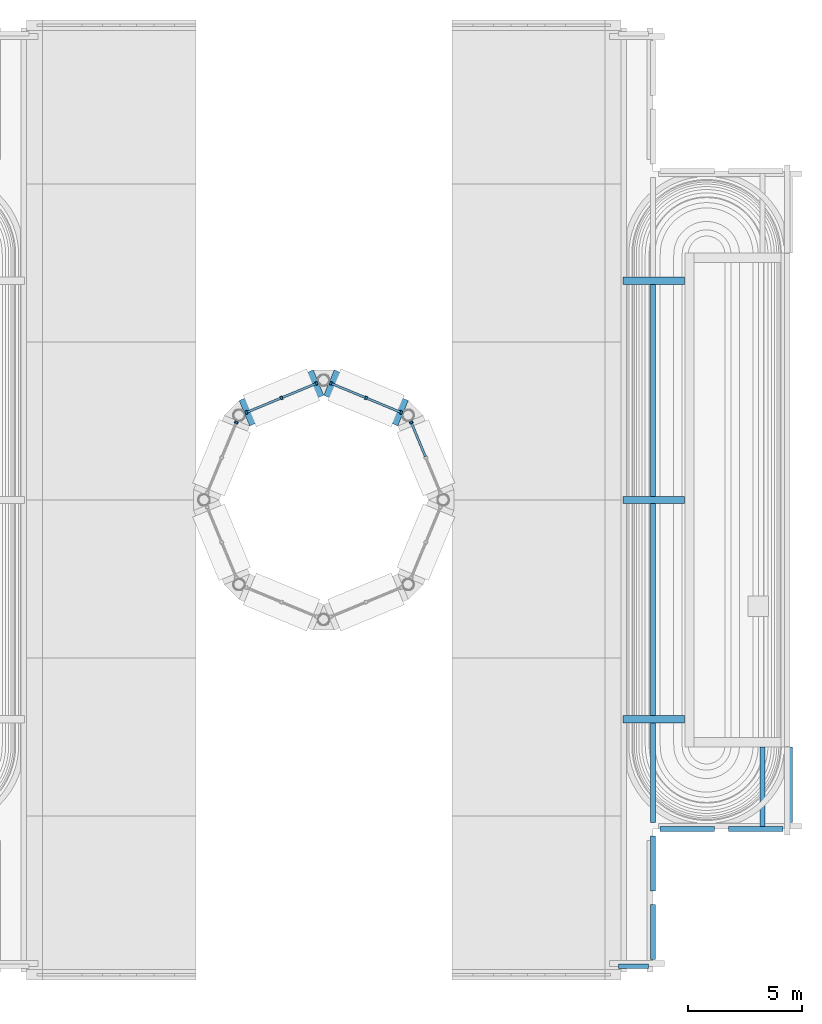
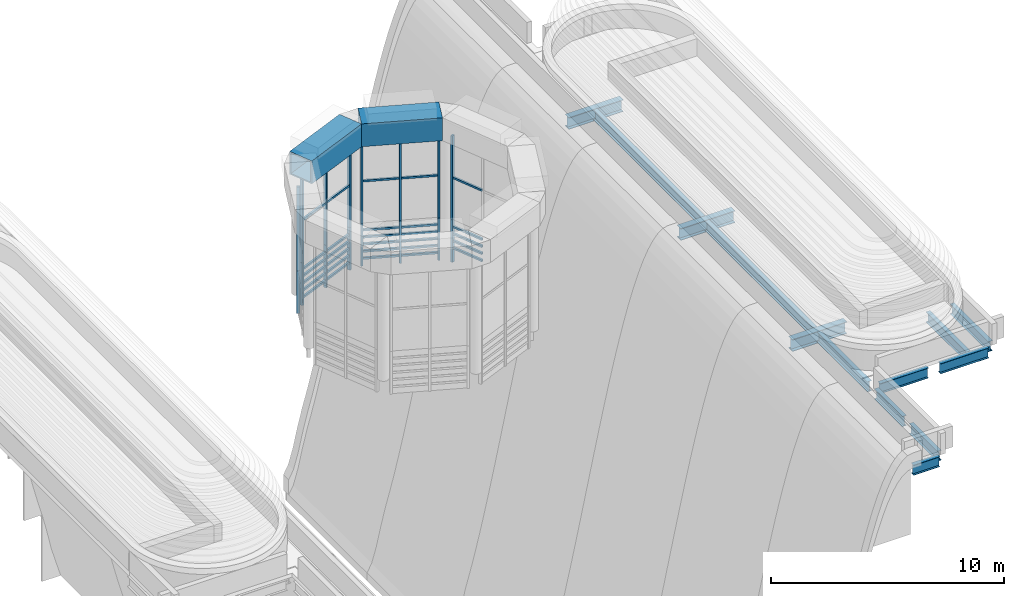
# One storey, part 3 of 14: 45 members, 15 beams, 8 elements without a shape of their own.
"""IFC4 building model written with IfcOpenShell, lengths in metres."""

from ifc_helpers import new_model, si_unit, direction, frame, origin, origin_2d, place, context, subcontext, project, spatial, rectangle, hollow_rectangle, i_section, extrude, material, material_profile, profile_set, type_object, element, aggregate, save


model = new_model("IFC4")

# Units and contexts
model_context = context("Model", 3, precision=1e-05, world=origin(), true_north=direction((0.0, 1.0)))
body_context = subcontext(model_context, "Body", "Model", "MODEL_VIEW")
ifc_project = project(units=[si_unit("LENGTHUNIT", "METRE"), si_unit("AREAUNIT", "SQUARE_METRE"), si_unit("VOLUMEUNIT", "CUBIC_METRE"), si_unit("PLANEANGLEUNIT", "RADIAN"), si_unit("MASSUNIT", "GRAM", prefix="KILO")], contexts=[model_context])

# Site, building, storey
site_placement = place(None, origin())
site = spatial("IfcSite", under=ifc_project, at=site_placement, CompositionType="ELEMENT")
building_placement = place(site_placement, origin())
building = spatial("IfcBuilding", under=site, at=building_placement, Name="Cobrizo Arcos Hotel Tower", CompositionType="ELEMENT")
storey_placement = place(building_placement, frame((0.0, 0.0, 290.0)))
storey = spatial("IfcBuildingStorey", under=building, at=storey_placement, Name="RF", CompositionType="ELEMENT", Elevation=290.0)

# Beams
ifc_material_1 = material(Name="Steel ASTM A572 Grade 50", Category="steel")
ifc_material_profile_1 = material_profile(ifc_material_1, hollow_rectangle(XDim=1.199951171875, YDim=1.199951171875, WallThickness=0.070068359375, at=origin_2d()), Name="BOX 1200X1200X70")
ifc_profile_set_1 = profile_set([ifc_material_profile_1], Name="Steel ASTM A572 Grade 50")
beam_type_1 = type_object("IfcBeamType", Name="BOX 1200X1200X70 drum ring beam", PredefinedType="BEAM", material=ifc_profile_set_1)
for number, where, z_axis, x_axis, name in (
    (1, (3.470458984375, 3.795166015625, 6.39990234375), (-0.923896387827, 0.382642737497, 0.0), (-0.382642737497, -0.923896387827, 0.0), "Drum ring beam RB2, tier 3, no. 1"),
    (2, (-0.2294921875, 5.137451171875, 6.39990234375), (-0.923896387827, -0.382642737497, 0.0), (0.382642737497, -0.923896387827, 0.0), "Drum ring beam RB3, tier 3, no. 2"),
):
    element("IfcBeam", number, at=place(storey_placement, frame(where, z_axis=z_axis, x_axis=x_axis)), inside=storey, type_object=beam_type_1, Name=name, PredefinedType="BEAM", context=body_context, shape_type="SweptSolid", body=[
        extrude(hollow_rectangle(XDim=1.199951171875, YDim=1.199951171875, WallThickness=0.070068359375, at=origin_2d()), origin(), (0.0, 0.0, 1.0), 3.5078125),
    ])

# Curtain wall, member
ifc_material_2 = material(Name="Aluminium 6063-T6 anodised bronze", Category="aluminium")
curtain_wall_type = type_object("IfcCurtainWallType", Name="CW-D plant louvre wall", PredefinedType="NOTDEFINED", material=ifc_material_2)
curtain_wall_1_placement = place(storey_placement, origin())
curtain_wall_1 = element("IfcCurtainWall", 3, at=curtain_wall_1_placement, inside=storey, type_object=curtain_wall_type, Name="CW-D drum louvre wall t3-1", PredefinedType="NOTDEFINED")
ifc_material_profile_2 = material_profile(ifc_material_2, rectangle(XDim=0.14990234375, YDim=0.10009765625, at=origin_2d()), Name="CW-D mullion 150x100")
ifc_profile_set_2 = profile_set([ifc_material_profile_2], Name="Aluminium 6063-T6 anodised bronze")
member_type_1 = type_object("IfcMemberType", Name="CW-D mullion 150x100", PredefinedType="MULLION", material=ifc_profile_set_2)
member_1_placement = place(storey_placement, frame((3.827880859375, 3.391357421875, -0.833251953125), z_axis=(0.0, 0.0, 1.0), x_axis=(0.923879532511, 0.382683432365, 0.0)))
member_1 = element("IfcMember", 4, at=member_1_placement, type_object=member_type_1, Name="CW-D mullion 3", PredefinedType="MULLION", context=body_context, shape_type="SweptSolid", body=[
    extrude(rectangle(XDim=0.14990234375, YDim=0.10009765625, at=origin_2d()), origin(), (0.0, 0.0, 1.0), 2.233154296875),
])

curtain_wall_2_placement = place(storey_placement, origin())
curtain_wall_2 = element("IfcCurtainWall", 5, at=curtain_wall_2_placement, inside=storey, type_object=curtain_wall_type, Name="CW-D drum louvre wall t3L-1", PredefinedType="NOTDEFINED")
member_2_placement = place(storey_placement, frame((3.827880859375, 3.391357421875, 1.39990234375), z_axis=(0.0, 0.0, 1.0), x_axis=(0.923879532511, 0.382683432365, 0.0)))
member_2 = element("IfcMember", 6, at=member_2_placement, type_object=member_type_1, Name="CW-D mullion 3", PredefinedType="MULLION", context=body_context, shape_type="SweptSolid", body=[
    extrude(rectangle(XDim=0.14990234375, YDim=0.10009765625, at=origin_2d()), origin(), (0.0, 0.0, 1.0), 4.400146484375),
])

# Curtain wall, members
curtain_wall_3_placement = place(storey_placement, origin())
curtain_wall_3 = element("IfcCurtainWall", 7, at=curtain_wall_3_placement, inside=storey, type_object=curtain_wall_type, Name="CW-D drum louvre wall t3-2", PredefinedType="NOTDEFINED")
member_3_placement = place(storey_placement, frame((3.391357421875, 3.827880859375, -0.833251953125), z_axis=(0.0, 0.0, 1.0), x_axis=(0.382683432365, 0.923879532511, 0.0)))
member_3 = element("IfcMember", 8, at=member_3_placement, type_object=member_type_1, Name="CW-D mullion 1", PredefinedType="MULLION", context=body_context, shape_type="SweptSolid", body=[
    extrude(rectangle(XDim=0.14990234375, YDim=0.10009765625, at=origin_2d()), origin(), (0.0, 0.0, 1.0), 2.233154296875),
])
member_4_placement = place(storey_placement, frame((1.85009765625, 4.46630859375, -0.833251953125), z_axis=(0.0, 0.0, 1.0), x_axis=(0.382683432365, 0.923879532511, 0.0)))
member_4 = element("IfcMember", 9, at=member_4_placement, type_object=member_type_1, Name="CW-D mullion 2", PredefinedType="MULLION", context=body_context, shape_type="SweptSolid", body=[
    extrude(rectangle(XDim=0.14990234375, YDim=0.10009765625, at=origin_2d()), origin(), (0.0, 0.0, 1.0), 2.233154296875),
])
member_5_placement = place(storey_placement, frame((0.30859375, 5.104736328125, -0.833251953125), z_axis=(0.0, 0.0, 1.0), x_axis=(0.382683432365, 0.923879532511, 0.0)))
member_5 = element("IfcMember", 10, at=member_5_placement, type_object=member_type_1, Name="CW-D mullion 3", PredefinedType="MULLION", context=body_context, shape_type="SweptSolid", body=[
    extrude(rectangle(XDim=0.14990234375, YDim=0.10009765625, at=origin_2d()), origin(), (0.0, 0.0, 1.0), 2.233154296875),
])

curtain_wall_4_placement = place(storey_placement, origin())
curtain_wall_4 = element("IfcCurtainWall", 11, at=curtain_wall_4_placement, inside=storey, type_object=curtain_wall_type, Name="CW-D drum louvre wall t3L-2", PredefinedType="NOTDEFINED")
member_6_placement = place(storey_placement, frame((3.391357421875, 3.827880859375, 1.39990234375), z_axis=(0.0, 0.0, 1.0), x_axis=(0.382683432365, 0.923879532511, 0.0)))
member_6 = element("IfcMember", 12, at=member_6_placement, type_object=member_type_1, Name="CW-D mullion 1", PredefinedType="MULLION", context=body_context, shape_type="SweptSolid", body=[
    extrude(rectangle(XDim=0.14990234375, YDim=0.10009765625, at=origin_2d()), origin(), (0.0, 0.0, 1.0), 4.400146484375),
])
member_7_placement = place(storey_placement, frame((1.85009765625, 4.46630859375, 1.39990234375), z_axis=(0.0, 0.0, 1.0), x_axis=(0.382683432365, 0.923879532511, 0.0)))
member_7 = element("IfcMember", 13, at=member_7_placement, type_object=member_type_1, Name="CW-D mullion 2", PredefinedType="MULLION", context=body_context, shape_type="SweptSolid", body=[
    extrude(rectangle(XDim=0.14990234375, YDim=0.10009765625, at=origin_2d()), origin(), (0.0, 0.0, 1.0), 4.400146484375),
])
member_8_placement = place(storey_placement, frame((0.30859375, 5.104736328125, 1.39990234375), z_axis=(0.0, 0.0, 1.0), x_axis=(0.382683432365, 0.923879532511, 0.0)))
member_8 = element("IfcMember", 14, at=member_8_placement, type_object=member_type_1, Name="CW-D mullion 3", PredefinedType="MULLION", context=body_context, shape_type="SweptSolid", body=[
    extrude(rectangle(XDim=0.14990234375, YDim=0.10009765625, at=origin_2d()), origin(), (0.0, 0.0, 1.0), 4.400146484375),
])

curtain_wall_5_placement = place(storey_placement, origin())
curtain_wall_5 = element("IfcCurtainWall", 15, at=curtain_wall_5_placement, inside=storey, type_object=curtain_wall_type, Name="CW-D drum louvre wall t3-3", PredefinedType="NOTDEFINED")
member_9_placement = place(storey_placement, frame((-0.30859375, 5.104736328125, -0.833251953125), z_axis=(0.0, 0.0, 1.0), x_axis=(-0.382683432365, 0.923879532511, 0.0)))
member_9 = element("IfcMember", 16, at=member_9_placement, type_object=member_type_1, Name="CW-D mullion 1", PredefinedType="MULLION", context=body_context, shape_type="SweptSolid", body=[
    extrude(rectangle(XDim=0.14990234375, YDim=0.10009765625, at=origin_2d()), origin(), (0.0, 0.0, 1.0), 2.233154296875),
])
member_10_placement = place(storey_placement, frame((-1.85009765625, 4.46630859375, -0.833251953125), z_axis=(0.0, 0.0, 1.0), x_axis=(-0.382683432365, 0.923879532511, 0.0)))
member_10 = element("IfcMember", 17, at=member_10_placement, type_object=member_type_1, Name="CW-D mullion 2", PredefinedType="MULLION", context=body_context, shape_type="SweptSolid", body=[
    extrude(rectangle(XDim=0.14990234375, YDim=0.10009765625, at=origin_2d()), origin(), (0.0, 0.0, 1.0), 2.233154296875),
])
member_11_placement = place(storey_placement, frame((-3.391357421875, 3.827880859375, -0.833251953125), z_axis=(0.0, 0.0, 1.0), x_axis=(-0.382683432365, 0.923879532511, 0.0)))
member_11 = element("IfcMember", 18, at=member_11_placement, type_object=member_type_1, Name="CW-D mullion 3", PredefinedType="MULLION", context=body_context, shape_type="SweptSolid", body=[
    extrude(rectangle(XDim=0.14990234375, YDim=0.10009765625, at=origin_2d()), origin(), (0.0, 0.0, 1.0), 2.233154296875),
])

curtain_wall_6_placement = place(storey_placement, origin())
curtain_wall_6 = element("IfcCurtainWall", 19, at=curtain_wall_6_placement, inside=storey, type_object=curtain_wall_type, Name="CW-D drum louvre wall t3L-3", PredefinedType="NOTDEFINED")
member_12_placement = place(storey_placement, frame((-0.30859375, 5.104736328125, 1.39990234375), z_axis=(0.0, 0.0, 1.0), x_axis=(-0.382683432365, 0.923879532511, 0.0)))
member_12 = element("IfcMember", 20, at=member_12_placement, type_object=member_type_1, Name="CW-D mullion 1", PredefinedType="MULLION", context=body_context, shape_type="SweptSolid", body=[
    extrude(rectangle(XDim=0.14990234375, YDim=0.10009765625, at=origin_2d()), origin(), (0.0, 0.0, 1.0), 4.400146484375),
])
member_13_placement = place(storey_placement, frame((-1.85009765625, 4.46630859375, 1.39990234375), z_axis=(0.0, 0.0, 1.0), x_axis=(-0.382683432365, 0.923879532511, 0.0)))
member_13 = element("IfcMember", 21, at=member_13_placement, type_object=member_type_1, Name="CW-D mullion 2", PredefinedType="MULLION", context=body_context, shape_type="SweptSolid", body=[
    extrude(rectangle(XDim=0.14990234375, YDim=0.10009765625, at=origin_2d()), origin(), (0.0, 0.0, 1.0), 4.400146484375),
])
member_14_placement = place(storey_placement, frame((-3.391357421875, 3.827880859375, 1.39990234375), z_axis=(0.0, 0.0, 1.0), x_axis=(-0.382683432365, 0.923879532511, 0.0)))
member_14 = element("IfcMember", 22, at=member_14_placement, type_object=member_type_1, Name="CW-D mullion 3", PredefinedType="MULLION", context=body_context, shape_type="SweptSolid", body=[
    extrude(rectangle(XDim=0.14990234375, YDim=0.10009765625, at=origin_2d()), origin(), (0.0, 0.0, 1.0), 4.400146484375),
])

# Curtain wall, member
curtain_wall_7_placement = place(storey_placement, origin())
curtain_wall_7 = element("IfcCurtainWall", 23, at=curtain_wall_7_placement, inside=storey, type_object=curtain_wall_type, Name="CW-D drum louvre wall t3-4", PredefinedType="NOTDEFINED")
member_15_placement = place(storey_placement, frame((-3.827880859375, 3.391357421875, -0.833251953125), z_axis=(0.0, 0.0, 1.0), x_axis=(-0.923879532511, 0.382683432365, 0.0)))
member_15 = element("IfcMember", 24, at=member_15_placement, type_object=member_type_1, Name="CW-D mullion 1", PredefinedType="MULLION", context=body_context, shape_type="SweptSolid", body=[
    extrude(rectangle(XDim=0.14990234375, YDim=0.10009765625, at=origin_2d()), origin(), (0.0, 0.0, 1.0), 2.233154296875),
])
aggregate(curtain_wall_7, [member_15])

curtain_wall_8_placement = place(storey_placement, origin())
curtain_wall_8 = element("IfcCurtainWall", 25, at=curtain_wall_8_placement, inside=storey, type_object=curtain_wall_type, Name="CW-D drum louvre wall t3L-4", PredefinedType="NOTDEFINED")
member_16_placement = place(storey_placement, frame((-3.827880859375, 3.391357421875, 1.39990234375), z_axis=(0.0, 0.0, 1.0), x_axis=(-0.923879532511, 0.382683432365, 0.0)))
member_16 = element("IfcMember", 26, at=member_16_placement, type_object=member_type_1, Name="CW-D mullion 1", PredefinedType="MULLION", context=body_context, shape_type="SweptSolid", body=[
    extrude(rectangle(XDim=0.14990234375, YDim=0.10009765625, at=origin_2d()), origin(), (0.0, 0.0, 1.0), 4.400146484375),
])
aggregate(curtain_wall_8, [member_16])

# Member
ifc_material_profile_3 = material_profile(ifc_material_2, rectangle(XDim=0.10009765625, YDim=0.10009765625, at=origin_2d()), Name="CW-D transom 100x100")
ifc_profile_set_3 = profile_set([ifc_material_profile_3], Name="Aluminium 6063-T6 anodised bronze")
member_type_2 = type_object("IfcMemberType", Name="CW-D transom 100x100", PredefinedType="USERDEFINED", material=ifc_profile_set_3)
member_17_placement = place(storey_placement, frame((4.447265625, 1.896240234375, -0.0888671875), z_axis=(-0.382768797092, 0.923844168663, 0.0), x_axis=(-0.923844168663, -0.382768797092, 0.0)))
member_17 = element("IfcMember", 27, at=member_17_placement, type_object=member_type_2, Name="CW-D transom 2-2", ObjectType="TRANSOM", PredefinedType="USERDEFINED", context=body_context, shape_type="SweptSolid", body=[
    extrude(rectangle(XDim=0.10009765625, YDim=0.10009765625, at=origin_2d()), origin(), (0.0, 0.0, 1.0), 1.568359375),
])

member_18_placement = place(storey_placement, frame((4.447265625, 1.896240234375, 0.283203125), z_axis=(-0.382768797092, 0.923844168663, 0.0), x_axis=(-0.923844168663, -0.382768797092, 0.0)))
member_18 = element("IfcMember", 28, at=member_18_placement, type_object=member_type_2, Name="CW-D transom 2-3", ObjectType="TRANSOM", PredefinedType="USERDEFINED", context=body_context, shape_type="SweptSolid", body=[
    extrude(rectangle(XDim=0.10009765625, YDim=0.10009765625, at=origin_2d()), origin(), (0.0, 0.0, 1.0), 1.568359375),
])

member_19_placement = place(storey_placement, frame((4.447265625, 1.896240234375, 0.655517578125), z_axis=(-0.382768797092, 0.923844168663, 0.0), x_axis=(-0.923844168663, -0.382768797092, 0.0)))
member_19 = element("IfcMember", 29, at=member_19_placement, type_object=member_type_2, Name="CW-D transom 2-4", ObjectType="TRANSOM", PredefinedType="USERDEFINED", context=body_context, shape_type="SweptSolid", body=[
    extrude(rectangle(XDim=0.10009765625, YDim=0.10009765625, at=origin_2d()), origin(), (0.0, 0.0, 1.0), 1.568359375),
])

member_20_placement = place(storey_placement, frame((4.447265625, 1.896240234375, 1.02783203125), z_axis=(-0.382768797092, 0.923844168663, 0.0), x_axis=(-0.923844168663, -0.382768797092, 0.0)))
member_20 = element("IfcMember", 30, at=member_20_placement, type_object=member_type_2, Name="CW-D transom 2-5", ObjectType="TRANSOM", PredefinedType="USERDEFINED", context=body_context, shape_type="SweptSolid", body=[
    extrude(rectangle(XDim=0.10009765625, YDim=0.10009765625, at=origin_2d()), origin(), (0.0, 0.0, 1.0), 1.568359375),
])

aggregate(curtain_wall_1, [member_1, member_17, member_18, member_19, member_20])

member_21_placement = place(storey_placement, frame((4.447265625, 1.896240234375, 3.60009765625), z_axis=(-0.382768797092, 0.923844168663, 0.0), x_axis=(-0.923844168663, -0.382768797092, 0.0)))
member_21 = element("IfcMember", 31, at=member_21_placement, type_object=member_type_2, Name="CW-D transom 2-1", ObjectType="TRANSOM", PredefinedType="USERDEFINED", context=body_context, shape_type="SweptSolid", body=[
    extrude(rectangle(XDim=0.10009765625, YDim=0.10009765625, at=origin_2d()), origin(), (0.0, 0.0, 1.0), 1.568359375),
])

aggregate(curtain_wall_2, [member_2, member_21])

member_22_placement = place(storey_placement, frame((3.34521484375, 3.846923828125, -0.461181640625), z_axis=(-0.923844168663, 0.382768797092, 0.0), x_axis=(-0.382768797092, -0.923844168663, 0.0)))
member_22 = element("IfcMember", 32, at=member_22_placement, type_object=member_type_2, Name="CW-D transom 1-1", ObjectType="TRANSOM", PredefinedType="USERDEFINED", context=body_context, shape_type="SweptSolid", body=[
    extrude(rectangle(XDim=0.10009765625, YDim=0.10009765625, at=origin_2d()), origin(), (0.0, 0.0, 1.0), 1.568359375),
])

member_23_placement = place(storey_placement, frame((3.34521484375, 3.846923828125, -0.0888671875), z_axis=(-0.923844168663, 0.382768797092, 0.0), x_axis=(-0.382768797092, -0.923844168663, 0.0)))
member_23 = element("IfcMember", 33, at=member_23_placement, type_object=member_type_2, Name="CW-D transom 1-2", ObjectType="TRANSOM", PredefinedType="USERDEFINED", context=body_context, shape_type="SweptSolid", body=[
    extrude(rectangle(XDim=0.10009765625, YDim=0.10009765625, at=origin_2d()), origin(), (0.0, 0.0, 1.0), 1.568359375),
])

member_24_placement = place(storey_placement, frame((3.34521484375, 3.846923828125, 0.283203125), z_axis=(-0.923844168663, 0.382768797092, 0.0), x_axis=(-0.382768797092, -0.923844168663, 0.0)))
member_24 = element("IfcMember", 34, at=member_24_placement, type_object=member_type_2, Name="CW-D transom 1-3", ObjectType="TRANSOM", PredefinedType="USERDEFINED", context=body_context, shape_type="SweptSolid", body=[
    extrude(rectangle(XDim=0.10009765625, YDim=0.10009765625, at=origin_2d()), origin(), (0.0, 0.0, 1.0), 1.568359375),
])

member_25_placement = place(storey_placement, frame((3.34521484375, 3.846923828125, 0.655517578125), z_axis=(-0.923844168663, 0.382768797092, 0.0), x_axis=(-0.382768797092, -0.923844168663, 0.0)))
member_25 = element("IfcMember", 35, at=member_25_placement, type_object=member_type_2, Name="CW-D transom 1-4", ObjectType="TRANSOM", PredefinedType="USERDEFINED", context=body_context, shape_type="SweptSolid", body=[
    extrude(rectangle(XDim=0.10009765625, YDim=0.10009765625, at=origin_2d()), origin(), (0.0, 0.0, 1.0), 1.568359375),
])

member_26_placement = place(storey_placement, frame((3.34521484375, 3.846923828125, 1.02783203125), z_axis=(-0.923844168663, 0.382768797092, 0.0), x_axis=(-0.382768797092, -0.923844168663, 0.0)))
member_26 = element("IfcMember", 36, at=member_26_placement, type_object=member_type_2, Name="CW-D transom 1-5", ObjectType="TRANSOM", PredefinedType="USERDEFINED", context=body_context, shape_type="SweptSolid", body=[
    extrude(rectangle(XDim=0.10009765625, YDim=0.10009765625, at=origin_2d()), origin(), (0.0, 0.0, 1.0), 1.568359375),
])

member_27_placement = place(storey_placement, frame((1.8037109375, 4.4853515625, -0.461181640625), z_axis=(-0.923844168663, 0.382768797092, 0.0), x_axis=(-0.382768797092, -0.923844168663, 0.0)))
member_27 = element("IfcMember", 37, at=member_27_placement, type_object=member_type_2, Name="CW-D transom 2-1", ObjectType="TRANSOM", PredefinedType="USERDEFINED", context=body_context, shape_type="SweptSolid", body=[
    extrude(rectangle(XDim=0.10009765625, YDim=0.10009765625, at=origin_2d()), origin(), (0.0, 0.0, 1.0), 1.568359375),
])

member_28_placement = place(storey_placement, frame((1.8037109375, 4.4853515625, -0.0888671875), z_axis=(-0.923844168663, 0.382768797092, 0.0), x_axis=(-0.382768797092, -0.923844168663, 0.0)))
member_28 = element("IfcMember", 38, at=member_28_placement, type_object=member_type_2, Name="CW-D transom 2-2", ObjectType="TRANSOM", PredefinedType="USERDEFINED", context=body_context, shape_type="SweptSolid", body=[
    extrude(rectangle(XDim=0.10009765625, YDim=0.10009765625, at=origin_2d()), origin(), (0.0, 0.0, 1.0), 1.568359375),
])

member_29_placement = place(storey_placement, frame((1.8037109375, 4.4853515625, 0.283203125), z_axis=(-0.923844168663, 0.382768797092, 0.0), x_axis=(-0.382768797092, -0.923844168663, 0.0)))
member_29 = element("IfcMember", 39, at=member_29_placement, type_object=member_type_2, Name="CW-D transom 2-3", ObjectType="TRANSOM", PredefinedType="USERDEFINED", context=body_context, shape_type="SweptSolid", body=[
    extrude(rectangle(XDim=0.10009765625, YDim=0.10009765625, at=origin_2d()), origin(), (0.0, 0.0, 1.0), 1.568359375),
])

member_30_placement = place(storey_placement, frame((1.8037109375, 4.4853515625, 0.655517578125), z_axis=(-0.923844168663, 0.382768797092, 0.0), x_axis=(-0.382768797092, -0.923844168663, 0.0)))
member_30 = element("IfcMember", 40, at=member_30_placement, type_object=member_type_2, Name="CW-D transom 2-4", ObjectType="TRANSOM", PredefinedType="USERDEFINED", context=body_context, shape_type="SweptSolid", body=[
    extrude(rectangle(XDim=0.10009765625, YDim=0.10009765625, at=origin_2d()), origin(), (0.0, 0.0, 1.0), 1.568359375),
])

member_31_placement = place(storey_placement, frame((1.8037109375, 4.4853515625, 1.02783203125), z_axis=(-0.923844168663, 0.382768797092, 0.0), x_axis=(-0.382768797092, -0.923844168663, 0.0)))
member_31 = element("IfcMember", 41, at=member_31_placement, type_object=member_type_2, Name="CW-D transom 2-5", ObjectType="TRANSOM", PredefinedType="USERDEFINED", context=body_context, shape_type="SweptSolid", body=[
    extrude(rectangle(XDim=0.10009765625, YDim=0.10009765625, at=origin_2d()), origin(), (0.0, 0.0, 1.0), 1.568359375),
])

aggregate(curtain_wall_3, [member_3, member_4, member_5, member_22, member_23, member_24, member_25, member_26, member_27, member_28, member_29, member_30, member_31])

member_32_placement = place(storey_placement, frame((3.34521484375, 3.846923828125, 3.60009765625), z_axis=(-0.923844168663, 0.382768797092, 0.0), x_axis=(-0.382768797092, -0.923844168663, 0.0)))
member_32 = element("IfcMember", 42, at=member_32_placement, type_object=member_type_2, Name="CW-D transom 1-1", ObjectType="TRANSOM", PredefinedType="USERDEFINED", context=body_context, shape_type="SweptSolid", body=[
    extrude(rectangle(XDim=0.10009765625, YDim=0.10009765625, at=origin_2d()), origin(), (0.0, 0.0, 1.0), 1.568359375),
])

member_33_placement = place(storey_placement, frame((1.8037109375, 4.4853515625, 3.60009765625), z_axis=(-0.923844168663, 0.382768797092, 0.0), x_axis=(-0.382768797092, -0.923844168663, 0.0)))
member_33 = element("IfcMember", 43, at=member_33_placement, type_object=member_type_2, Name="CW-D transom 2-1", ObjectType="TRANSOM", PredefinedType="USERDEFINED", context=body_context, shape_type="SweptSolid", body=[
    extrude(rectangle(XDim=0.10009765625, YDim=0.10009765625, at=origin_2d()), origin(), (0.0, 0.0, 1.0), 1.568359375),
])

aggregate(curtain_wall_4, [member_6, member_7, member_8, member_32, member_33])

member_34_placement = place(storey_placement, frame((-0.354736328125, 5.085693359375, -0.461181640625), z_axis=(-0.923844168663, -0.382768797092, 0.0), x_axis=(0.382768797092, -0.923844168663, 0.0)))
member_34 = element("IfcMember", 44, at=member_34_placement, type_object=member_type_2, Name="CW-D transom 1-1", ObjectType="TRANSOM", PredefinedType="USERDEFINED", context=body_context, shape_type="SweptSolid", body=[
    extrude(rectangle(XDim=0.10009765625, YDim=0.10009765625, at=origin_2d()), origin(), (0.0, 0.0, 1.0), 1.568359375),
])

member_35_placement = place(storey_placement, frame((-0.354736328125, 5.085693359375, -0.0888671875), z_axis=(-0.923844168663, -0.382768797092, 0.0), x_axis=(0.382768797092, -0.923844168663, 0.0)))
member_35 = element("IfcMember", 45, at=member_35_placement, type_object=member_type_2, Name="CW-D transom 1-2", ObjectType="TRANSOM", PredefinedType="USERDEFINED", context=body_context, shape_type="SweptSolid", body=[
    extrude(rectangle(XDim=0.10009765625, YDim=0.10009765625, at=origin_2d()), origin(), (0.0, 0.0, 1.0), 1.568359375),
])

member_36_placement = place(storey_placement, frame((-0.354736328125, 5.085693359375, 0.283203125), z_axis=(-0.923844168663, -0.382768797092, 0.0), x_axis=(0.382768797092, -0.923844168663, 0.0)))
member_36 = element("IfcMember", 46, at=member_36_placement, type_object=member_type_2, Name="CW-D transom 1-3", ObjectType="TRANSOM", PredefinedType="USERDEFINED", context=body_context, shape_type="SweptSolid", body=[
    extrude(rectangle(XDim=0.10009765625, YDim=0.10009765625, at=origin_2d()), origin(), (0.0, 0.0, 1.0), 1.568359375),
])

member_37_placement = place(storey_placement, frame((-0.354736328125, 5.085693359375, 0.655517578125), z_axis=(-0.923844168663, -0.382768797092, 0.0), x_axis=(0.382768797092, -0.923844168663, 0.0)))
member_37 = element("IfcMember", 47, at=member_37_placement, type_object=member_type_2, Name="CW-D transom 1-4", ObjectType="TRANSOM", PredefinedType="USERDEFINED", context=body_context, shape_type="SweptSolid", body=[
    extrude(rectangle(XDim=0.10009765625, YDim=0.10009765625, at=origin_2d()), origin(), (0.0, 0.0, 1.0), 1.568359375),
])

member_38_placement = place(storey_placement, frame((-0.354736328125, 5.085693359375, 1.02783203125), z_axis=(-0.923844168663, -0.382768797092, 0.0), x_axis=(0.382768797092, -0.923844168663, 0.0)))
member_38 = element("IfcMember", 48, at=member_38_placement, type_object=member_type_2, Name="CW-D transom 1-5", ObjectType="TRANSOM", PredefinedType="USERDEFINED", context=body_context, shape_type="SweptSolid", body=[
    extrude(rectangle(XDim=0.10009765625, YDim=0.10009765625, at=origin_2d()), origin(), (0.0, 0.0, 1.0), 1.568359375),
])

member_39_placement = place(storey_placement, frame((-1.896240234375, 4.447265625, -0.461181640625), z_axis=(-0.923844168663, -0.382768797092, 0.0), x_axis=(0.382768797092, -0.923844168663, 0.0)))
member_39 = element("IfcMember", 49, at=member_39_placement, type_object=member_type_2, Name="CW-D transom 2-1", ObjectType="TRANSOM", PredefinedType="USERDEFINED", context=body_context, shape_type="SweptSolid", body=[
    extrude(rectangle(XDim=0.10009765625, YDim=0.10009765625, at=origin_2d()), origin(), (0.0, 0.0, 1.0), 1.568359375),
])

member_40_placement = place(storey_placement, frame((-1.896240234375, 4.447265625, -0.0888671875), z_axis=(-0.923844168663, -0.382768797092, 0.0), x_axis=(0.382768797092, -0.923844168663, 0.0)))
member_40 = element("IfcMember", 50, at=member_40_placement, type_object=member_type_2, Name="CW-D transom 2-2", ObjectType="TRANSOM", PredefinedType="USERDEFINED", context=body_context, shape_type="SweptSolid", body=[
    extrude(rectangle(XDim=0.10009765625, YDim=0.10009765625, at=origin_2d()), origin(), (0.0, 0.0, 1.0), 1.568359375),
])

member_41_placement = place(storey_placement, frame((-1.896240234375, 4.447265625, 0.283203125), z_axis=(-0.923844168663, -0.382768797092, 0.0), x_axis=(0.382768797092, -0.923844168663, 0.0)))
member_41 = element("IfcMember", 51, at=member_41_placement, type_object=member_type_2, Name="CW-D transom 2-3", ObjectType="TRANSOM", PredefinedType="USERDEFINED", context=body_context, shape_type="SweptSolid", body=[
    extrude(rectangle(XDim=0.10009765625, YDim=0.10009765625, at=origin_2d()), origin(), (0.0, 0.0, 1.0), 1.568359375),
])

member_42_placement = place(storey_placement, frame((-1.896240234375, 4.447265625, 0.655517578125), z_axis=(-0.923844168663, -0.382768797092, 0.0), x_axis=(0.382768797092, -0.923844168663, 0.0)))
member_42 = element("IfcMember", 52, at=member_42_placement, type_object=member_type_2, Name="CW-D transom 2-4", ObjectType="TRANSOM", PredefinedType="USERDEFINED", context=body_context, shape_type="SweptSolid", body=[
    extrude(rectangle(XDim=0.10009765625, YDim=0.10009765625, at=origin_2d()), origin(), (0.0, 0.0, 1.0), 1.568359375),
])

member_43_placement = place(storey_placement, frame((-1.896240234375, 4.447265625, 1.02783203125), z_axis=(-0.923844168663, -0.382768797092, 0.0), x_axis=(0.382768797092, -0.923844168663, 0.0)))
member_43 = element("IfcMember", 53, at=member_43_placement, type_object=member_type_2, Name="CW-D transom 2-5", ObjectType="TRANSOM", PredefinedType="USERDEFINED", context=body_context, shape_type="SweptSolid", body=[
    extrude(rectangle(XDim=0.10009765625, YDim=0.10009765625, at=origin_2d()), origin(), (0.0, 0.0, 1.0), 1.568359375),
])

aggregate(curtain_wall_5, [member_9, member_10, member_11, member_34, member_35, member_36, member_37, member_38, member_39, member_40, member_41, member_42, member_43])

member_44_placement = place(storey_placement, frame((-0.354736328125, 5.085693359375, 3.60009765625), z_axis=(-0.923844168663, -0.382768797092, 0.0), x_axis=(0.382768797092, -0.923844168663, 0.0)))
member_44 = element("IfcMember", 54, at=member_44_placement, type_object=member_type_2, Name="CW-D transom 1-1", ObjectType="TRANSOM", PredefinedType="USERDEFINED", context=body_context, shape_type="SweptSolid", body=[
    extrude(rectangle(XDim=0.10009765625, YDim=0.10009765625, at=origin_2d()), origin(), (0.0, 0.0, 1.0), 1.568359375),
])

member_45_placement = place(storey_placement, frame((-1.896240234375, 4.447265625, 3.60009765625), z_axis=(-0.923844168663, -0.382768797092, 0.0), x_axis=(0.382768797092, -0.923844168663, 0.0)))
member_45 = element("IfcMember", 55, at=member_45_placement, type_object=member_type_2, Name="CW-D transom 2-1", ObjectType="TRANSOM", PredefinedType="USERDEFINED", context=body_context, shape_type="SweptSolid", body=[
    extrude(rectangle(XDim=0.10009765625, YDim=0.10009765625, at=origin_2d()), origin(), (0.0, 0.0, 1.0), 1.568359375),
])

aggregate(curtain_wall_6, [member_12, member_13, member_14, member_44, member_45])

# Beams
ifc_material_3 = material(Name="Steel ASTM A992 Grade 50", Category="steel")
ifc_material_profile_4 = material_profile(ifc_material_3, i_section(OverallWidth=0.209228515625, OverallDepth=0.533447265625, WebThickness=0.01025390625, FlangeThickness=0.015625, at=origin_2d()), Name="W21X62")
ifc_profile_set_4 = profile_set([ifc_material_profile_4], Name="Steel ASTM A992 Grade 50")
beam_type_2 = type_object("IfcBeamType", Name="W21X62 joist", PredefinedType="JOIST", material=ifc_profile_set_4)
beam_1_placement = place(storey_placement, frame((14.39990234375, -14.10009765625, -0.466796875), z_axis=(0.0, 1.0, 0.0), x_axis=(-1.0, 0.0, 0.0)))
element("IfcBeam", 56, at=beam_1_placement, inside=storey, type_object=beam_type_2, Name="Floor joist J1, RF, no. 007", PredefinedType="JOIST", context=body_context, shape_type="SweptSolid", body=[
    extrude(i_section(OverallWidth=0.209228515625, OverallDepth=0.533447265625, WebThickness=0.01025390625, FlangeThickness=0.015625, at=origin_2d()), origin(), (0.0, 0.0, 1.0), 4.336181640625),
])
for number, where, z_axis, x_axis, name in (
    (57, (14.39990234375, -9.43603515625, -0.466796875), (0.0, 1.0, 0.0), (-1.0, 0.0, 0.0), "Floor joist J1, RF, no. 008"),
    (58, (14.39990234375, 0.163818359375, -0.466796875), (0.0, 1.0, 0.0), (-1.0, 0.0, 0.0), "Floor joist J1, RF, no. 009"),
):
    element("IfcBeam", number, at=place(storey_placement, frame(where, z_axis=z_axis, x_axis=x_axis)), inside=storey, type_object=beam_type_2, Name=name, PredefinedType="JOIST", context=body_context, shape_type="SweptSolid", body=[
        extrude(i_section(OverallWidth=0.209228515625, OverallDepth=0.533447265625, WebThickness=0.01025390625, FlangeThickness=0.015625, at=origin_2d()), origin(), (0.0, 0.0, 1.0), 9.272216796875),
    ])
beam_2_placement = place(storey_placement, frame((19.199951171875, -14.31005859375, -0.466796875), z_axis=(0.0, 1.0, 0.0), x_axis=(-1.0, 0.0, 0.0)))
element("IfcBeam", 59, at=beam_2_placement, inside=storey, type_object=beam_type_2, Name="Floor joist J1, RF, no. 011", PredefinedType="JOIST", context=body_context, shape_type="SweptSolid", body=[
    extrude(i_section(OverallWidth=0.209228515625, OverallDepth=0.533447265625, WebThickness=0.01025390625, FlangeThickness=0.015625, at=origin_2d()), origin(), (0.0, 0.0, 1.0), 3.5),
])
ifc_material_profile_5 = material_profile(ifc_material_3, i_section(OverallWidth=0.209228515625, OverallDepth=0.533447265625, WebThickness=0.01025390625, FlangeThickness=0.015625, at=origin_2d()), Name="W21X62")
ifc_profile_set_5 = profile_set([ifc_material_profile_5], Name="Steel ASTM A992 Grade 50")
beam_type_3 = type_object("IfcBeamType", Name="W21X62 spandrel", PredefinedType="SPANDREL", material=ifc_profile_set_5)
beam_3_placement = place(storey_placement, frame((20.39990234375, -10.81005859375, -0.466796875), z_axis=(0.0, -1.0, 0.0), x_axis=(1.0, 0.0, 0.0)))
element("IfcBeam", 60, at=beam_3_placement, inside=storey, type_object=beam_type_3, Name="Spandrel beam W21X62, RF, no. 016", PredefinedType="SPANDREL", context=body_context, shape_type="SweptSolid", body=[
    extrude(i_section(OverallWidth=0.209228515625, OverallDepth=0.533447265625, WebThickness=0.01025390625, FlangeThickness=0.015625, at=origin_2d()), origin(), (0.0, 0.0, 1.0), 3.2900390625),
])
for number, where, z_axis, x_axis, name in (
    (61, (20.10009765625, -14.39990234375, -0.466796875), (-1.0, 0.0, 0.0), (0.0, -1.0, 0.0), "Spandrel beam W21X62, RF, no. 017"),
    (62, (17.10009765625, -14.39990234375, -0.466796875), (-1.0, 0.0, 0.0), (0.0, -1.0, 0.0), "Spandrel beam W21X62, RF, no. 018"),
    (63, (14.39990234375, -14.699951171875, -0.466796875), (0.0, -1.0, 0.0), (1.0, 0.0, 0.0), "Spandrel beam W21X62, RF, no. 019"),
    (64, (14.39990234375, -17.699951171875, -0.466796875), (0.0, -1.0, 0.0), (1.0, 0.0, 0.0), "Spandrel beam W21X62, RF, no. 020"),
):
    element("IfcBeam", number, at=place(storey_placement, frame(where, z_axis=z_axis, x_axis=x_axis)), inside=storey, type_object=beam_type_3, Name=name, PredefinedType="SPANDREL", context=body_context, shape_type="SweptSolid", body=[
        extrude(i_section(OverallWidth=0.209228515625, OverallDepth=0.533447265625, WebThickness=0.01025390625, FlangeThickness=0.015625, at=origin_2d()), origin(), (0.0, 0.0, 1.0), 2.400146484375),
    ])
beam_4_placement = place(storey_placement, frame((14.199951171875, -20.39990234375, -0.466796875), z_axis=(-1.0, 0.0, 0.0), x_axis=(0.0, -1.0, 0.0)))
element("IfcBeam", 65, at=beam_4_placement, inside=storey, type_object=beam_type_3, Name="Spandrel beam W21X62, RF, no. 021", PredefinedType="SPANDREL", context=body_context, shape_type="SweptSolid", body=[
    extrude(i_section(OverallWidth=0.209228515625, OverallDepth=0.533447265625, WebThickness=0.01025390625, FlangeThickness=0.015625, at=origin_2d()), origin(), (0.0, 0.0, 1.0), 1.300048828125),
])
ifc_material_profile_6 = material_profile(ifc_material_3, i_section(OverallWidth=0.32763671875, OverallDepth=0.622314453125, WebThickness=0.015380859375, FlangeThickness=0.0244140625, at=origin_2d()), Name="W24X131")
ifc_profile_set_6 = profile_set([ifc_material_profile_6], Name="Steel ASTM A992 Grade 50")
beam_type_4 = type_object("IfcBeamType", Name="W24X131 girder", PredefinedType="BEAM", material=ifc_profile_set_6)
for number, where, z_axis, x_axis, name in (
    (66, (13.090087890625, -9.60009765625, -0.510986328125), (1.0, 0.0, 0.0), (0.0, 1.0, 0.0), "Floor girder G1, RF, no. 002"),
    (67, (13.090087890625, 0.0, -0.510986328125), (1.0, 0.0, 0.0), (0.0, 1.0, 0.0), "Floor girder G1, RF, no. 004"),
    (68, (13.090087890625, 9.60009765625, -0.510986328125), (1.0, 0.0, 0.0), (0.0, 1.0, 0.0), "Floor girder G1, RF, no. 006"),
):
    element("IfcBeam", number, at=place(storey_placement, frame(where, z_axis=z_axis, x_axis=x_axis)), inside=storey, type_object=beam_type_4, Name=name, PredefinedType="BEAM", context=body_context, shape_type="SweptSolid", body=[
        extrude(i_section(OverallWidth=0.32763671875, OverallDepth=0.622314453125, WebThickness=0.015380859375, FlangeThickness=0.0244140625, at=origin_2d()), origin(), (0.0, 0.0, 1.0), 2.699951171875),
    ])

save(model, "model.ifc")
